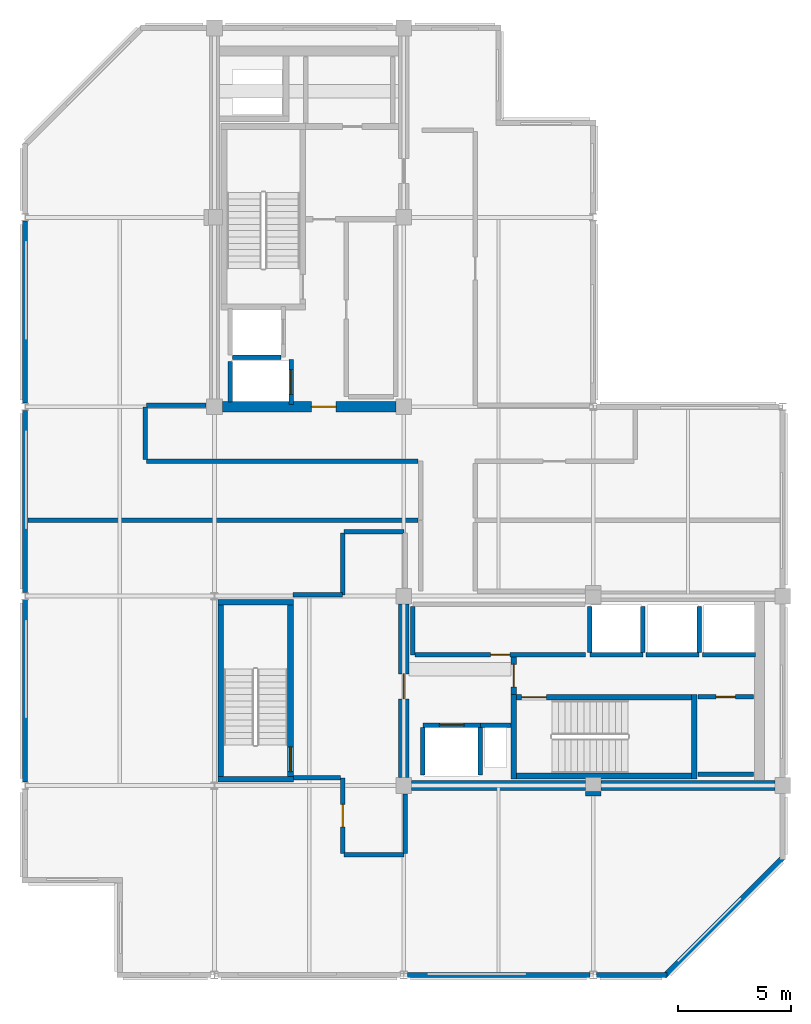
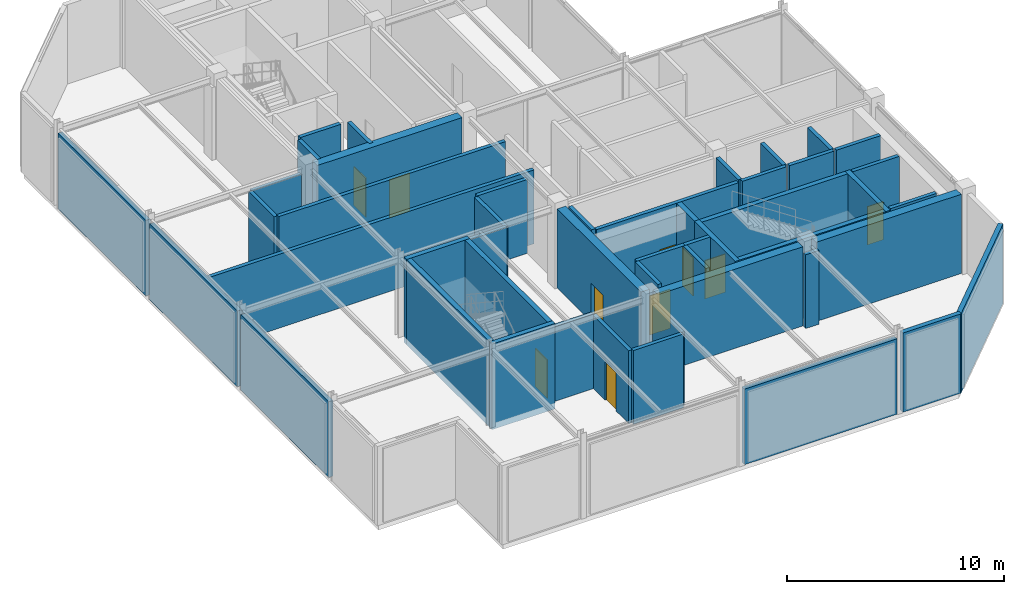
# One storey, part 4 of 9: 48 walls, 10 doors, 10 openings.
"""IFC4 building model written with IfcOpenShell, lengths in metres."""

from ifc_helpers import new_model, si_unit, direction, frame, frame_2d, origin, place, context, subcontext, project, spatial, rectangle, extrude, material, layer, layer_set, type_object, element, fill, save


model = new_model("IFC4")

# Units and contexts
model_context = context("Model", 3, precision=1e-05, world=origin(), true_north=direction((0.0, 1.0)))
body_context = subcontext(model_context, "Body", "Model", "MODEL_VIEW")
ifc_project = project(units=[si_unit("LENGTHUNIT", "METRE"), si_unit("AREAUNIT", "SQUARE_METRE"), si_unit("VOLUMEUNIT", "CUBIC_METRE"), si_unit("PLANEANGLEUNIT", "RADIAN"), si_unit("MASSUNIT", "GRAM", prefix="KILO")], contexts=[model_context])

# Site, building, storey
site_placement = place(None, origin())
site = spatial("IfcSite", under=ifc_project, at=site_placement, CompositionType="ELEMENT")
building_placement = place(site_placement, origin())
building = spatial("IfcBuilding", under=site, at=building_placement, Name="Nerrivon Quay Data Exchange", CompositionType="ELEMENT")
storey_placement = place(building_placement, frame((0.0, 0.0, 322.199951171875)))
storey = spatial("IfcBuildingStorey", under=building, at=storey_placement, Name="L77", CompositionType="ELEMENT", Elevation=322.199951171875)

# Walls
ifc_material_1 = material(Name="Architectural terracotta precast concrete N50 (50 MPa)", Category="masonry")
ifc_layer_1 = layer(ifc_material_1, 0.239990234375)
ifc_layer_set_1 = layer_set([ifc_layer_1], Name="Architectural terracotta precast concrete N50 (50 MPa)")
wall_type_1 = type_object("IfcWallType", Name="EW-PREC-240", PredefinedType="STANDARD", material=ifc_layer_set_1)
wall_1_placement = place(storey_placement, frame((33.65283203125, 5.252685546875, 0.0), z_axis=(0.0, 0.0, 1.0), x_axis=(-0.707123050166, -0.707090511833, 0.0)))
element("IfcWall", 1, at=wall_1_placement, inside=storey, type_object=wall_type_1, Name="L77 Plant Enclosure Wall 1", PredefinedType="STANDARD", context=body_context, shape_type="SweptSolid", body=[
    extrude(rectangle(XDim=7.503173828125, YDim=0.239990234375, at=frame_2d((3.75146484375, 0.0))), origin(), (0.0, 0.0, 1.0), 4.449951171875),
])
wall_2_placement = place(storey_placement, frame((28.474609375, 0.0, 0.0), z_axis=(0.0, 0.0, 1.0), x_axis=(-1.0, 0.0, 0.0)))
element("IfcWall", 2, at=wall_2_placement, inside=storey, type_object=wall_type_1, Name="L77 Plant Enclosure Wall 2", PredefinedType="STANDARD", context=body_context, shape_type="SweptSolid", body=[
    extrude(rectangle(XDim=3.12109375, YDim=0.239990234375, at=frame_2d((1.560546875, 0.0))), origin(), (0.0, 0.0, 1.0), 4.449951171875),
])
wall_3_placement = place(storey_placement, frame((25.04638671875, 0.0, 0.0), z_axis=(0.0, 0.0, 1.0), x_axis=(-1.0, 0.0, 0.0)))
element("IfcWall", 3, at=wall_3_placement, inside=storey, type_object=wall_type_1, Name="L77 Plant Enclosure Wall 3", PredefinedType="STANDARD", context=body_context, shape_type="SweptSolid", body=[
    extrude(rectangle(XDim=8.0927734375, YDim=0.239990234375, at=frame_2d((4.04638671875, 0.0))), origin(), (0.0, 0.0, 1.0), 4.2431640625),
])
for number, where, z_axis, x_axis, name in (
    (4, (0.0, 8.5576171875, 0.0), (0.0, 0.0, 1.0), (0.0, 1.0, 0.0), "L77 Plant Enclosure Wall 9"),
    (5, (0.0, 16.95751953125, 0.0), (0.0, 0.0, 1.0), (0.0, 1.0, 0.0), "L77 Plant Enclosure Wall 10"),
    (6, (0.0, 25.357421875, 0.0), (0.0, 0.0, 1.0), (0.0, 1.0, 0.0), "L77 Plant Enclosure Wall 11"),
):
    element("IfcWall", number, at=place(storey_placement, frame(where, z_axis=z_axis, x_axis=x_axis)), inside=storey, type_object=wall_type_1, Name=name, PredefinedType="STANDARD", context=body_context, shape_type="SweptSolid", body=[
        extrude(rectangle(XDim=8.0849609375, YDim=0.239990234375, at=frame_2d((4.04248046875, 0.0))), origin(), (0.0, 0.0, 1.0), 4.2431640625),
    ])

# Wall, opening, door
ifc_material_2 = material(Name="Concrete N50 (50 MPa)", Category="concrete")
ifc_layer_2 = layer(ifc_material_2, 0.449951171875)
ifc_layer_set_2 = layer_set([ifc_layer_2], Name="Concrete N50 (50 MPa)")
wall_type_2 = type_object("IfcWallType", Name="WALL-CW-550", PredefinedType="SHEAR", material=ifc_layer_set_2)
wall_4_placement = place(storey_placement, frame((8.75, 25.199951171875, 0.0), z_axis=(0.0, 0.0, 1.0), x_axis=(1.0, 0.0, 0.0)))
wall_4 = element("IfcWall", 7, at=wall_4_placement, inside=storey, type_object=wall_type_2, Name="L77 West Split-Core Shear Wall WCW-S1", PredefinedType="SHEAR", context=body_context, shape_type="SweptSolid", body=[
    extrude(rectangle(XDim=7.699951171875, YDim=0.449951171875, at=frame_2d((3.85009765625, 0.0))), origin(), (0.0, 0.0, 1.0), 4.449951171875),
])
opening_1_placement = place(wall_4_placement, frame((3.949951171875, 0.0, 0.0)))
opening_1 = element("IfcOpeningElement", 8, at=opening_1_placement, cuts=wall_4, Name="Opening FD-120", PredefinedType="OPENING", context=body_context, shape_type="SweptSolid", body=[
    extrude(rectangle(XDim=1.10009765625, YDim=2.14990234375, at=frame_2d((0.550048828125, 1.074951171875))), frame((0.0, 0.23486328125, 0.0), z_axis=(0.0, -1.0, 0.0), x_axis=(1.0, 0.0, 0.0)), (0.0, 0.0, 1.0), 0.469970703125),
])
ifc_material_3 = material(Name="Powder-coated galvanized steel sheet", Category="steel")
door_type_1 = type_object("IfcDoorType", Name="DR-FD120-1100", OperationType="NOTDEFINED", PredefinedType="DOOR", material=ifc_material_3)
door_1_placement = place(opening_1_placement, origin())
door_1 = element("IfcDoor", 9, at=door_1_placement, inside=storey, type_object=door_type_1, Name="L77 West Core Lobby Fire Door", OperationType="SINGLE_SWING_LEFT", OverallHeight=2.14990234375, OverallWidth=1.10009765625, PredefinedType="DOOR", context=body_context, shape_type="SweptSolid", body=[
    extrude(rectangle(XDim=1.10009765625, YDim=2.14990234375, at=frame_2d((0.550048828125, 1.074951171875))), frame((0.0, 0.02490234375, 0.0), z_axis=(0.0, -1.0, 0.0), x_axis=(1.0, 0.0, 0.0)), (0.0, 0.0, 1.0), 0.050048828125),
])
fill(opening_1, door_1)

# Walls
wall_5_placement = place(storey_placement, frame((17.14990234375, 8.39990234375, 0.0), z_axis=(0.0, 0.0, 1.0), x_axis=(1.0, 0.0, 0.0)))
element("IfcWall", 10, at=wall_5_placement, inside=storey, type_object=wall_type_2, Name="L77 East Split-Core Shear Wall ECW-S1", PredefinedType="SHEAR", context=body_context, shape_type="SweptSolid", body=[
    extrude(rectangle(XDim=7.7001953125, YDim=0.449951171875, at=frame_2d((3.85009765625, 0.0))), origin(), (0.0, 0.0, 1.0), 4.449951171875),
])
wall_6_placement = place(storey_placement, frame((25.550048828125, 8.39990234375, 0.0), z_axis=(0.0, 0.0, 1.0), x_axis=(1.0, 0.0, 0.0)))
element("IfcWall", 11, at=wall_6_placement, inside=storey, type_object=wall_type_2, Name="L77 East Split-Core Shear Wall ECW-S2", PredefinedType="SHEAR", context=body_context, shape_type="SweptSolid", body=[
    extrude(rectangle(XDim=7.699951171875, YDim=0.449951171875, at=frame_2d((3.85009765625, 0.0))), origin(), (0.0, 0.0, 1.0), 4.449951171875),
])

# Wall, opening, door
wall_7_placement = place(storey_placement, frame((16.800048828125, 8.75, 0.0), z_axis=(0.0, 0.0, 1.0), x_axis=(0.0, 1.0, 0.0)))
wall_7 = element("IfcWall", 12, at=wall_7_placement, inside=storey, type_object=wall_type_2, Name="L77 East Split-Core Shear Wall ECW-W1", PredefinedType="SHEAR", context=body_context, shape_type="SweptSolid", body=[
    extrude(rectangle(XDim=7.699951171875, YDim=0.449951171875, at=frame_2d((3.85009765625, 0.0))), origin(), (0.0, 0.0, 1.0), 4.449951171875),
])
opening_2_placement = place(wall_7_placement, frame((3.5, 0.0, 0.0)))
opening_2 = element("IfcOpeningElement", 13, at=opening_2_placement, cuts=wall_7, Name="Opening FD-120", PredefinedType="OPENING", context=body_context, shape_type="SweptSolid", body=[
    extrude(rectangle(XDim=1.10009765625, YDim=2.14990234375, at=frame_2d((0.550048828125, 1.074951171875))), frame((0.0, 0.23486328125, 0.0), z_axis=(0.0, -1.0, 0.0), x_axis=(1.0, 0.0, 0.0)), (0.0, 0.0, 1.0), 0.469970703125),
])
door_2_placement = place(opening_2_placement, origin())
door_2 = element("IfcDoor", 14, at=door_2_placement, inside=storey, type_object=door_type_1, Name="L77 East Core Lobby Fire Door", OperationType="SINGLE_SWING_RIGHT", OverallHeight=2.14990234375, OverallWidth=1.10009765625, PredefinedType="DOOR", context=body_context, shape_type="SweptSolid", body=[
    extrude(rectangle(XDim=1.10009765625, YDim=2.14990234375, at=frame_2d((0.550048828125, 1.074951171875))), frame((0.0, 0.02490234375, 0.0), z_axis=(0.0, -1.0, 0.0), x_axis=(1.0, 0.0, 0.0)), (0.0, 0.0, 1.0), 0.050048828125),
])
fill(opening_2, door_2)

# Walls
ifc_material_4 = material(Name="Gypsum plasterboard on cold-formed framing", Category="gypsum")
ifc_layer_3 = layer(ifc_material_4, 0.199951171875)
ifc_layer_set_3 = layer_set([ifc_layer_3], Name="Gypsum plasterboard on cold-formed framing")
wall_type_3 = type_object("IfcWallType", Name="WALL-FW-200", PredefinedType="PARTITIONING", material=ifc_layer_set_3)
wall_8_placement = place(storey_placement, frame((20.199951171875, 11.080078125, 0.0), z_axis=(0.0, 0.0, 1.0), x_axis=(1.0, 0.0, 0.0)))
element("IfcWall", 15, at=wall_8_placement, inside=storey, type_object=wall_type_3, Name="L77 East Core MEP Riser Shaft Wall N", PredefinedType="PARTITIONING", context=body_context, shape_type="SweptSolid", body=[
    extrude(rectangle(XDim=1.35009765625, YDim=0.199951171875, at=frame_2d((0.675048828125, 0.0))), origin(), (0.0, 0.0, 1.0), 4.449951171875),
])
wall_9_placement = place(storey_placement, frame((9.199951171875, 27.39990234375, 0.0), z_axis=(0.0, 0.0, 1.0), x_axis=(1.0, 0.0, 0.0)))
element("IfcWall", 16, at=wall_9_placement, inside=storey, type_object=wall_type_3, Name="L77 Lift Shaft Wall FFL-1 SOUTH", PredefinedType="PARTITIONING", context=body_context, shape_type="SweptSolid", body=[
    extrude(rectangle(XDim=2.150146484375, YDim=0.199951171875, at=frame_2d((1.0751953125, 0.0))), origin(), (0.0, 0.0, 1.0), 4.449951171875),
])

# Wall, opening, door
wall_10_placement = place(storey_placement, frame((11.800048828125, 25.300048828125, 0.0), z_axis=(0.0, 0.0, 1.0), x_axis=(0.0, 1.0, 0.0)))
wall_10 = element("IfcWall", 17, at=wall_10_placement, inside=storey, type_object=wall_type_3, Name="L77 Lift Front Wall SVL-1", PredefinedType="PARTITIONING", context=body_context, shape_type="SweptSolid", body=[
    extrude(rectangle(XDim=2.0, YDim=0.199951171875, at=frame_2d((1.0, 0.0))), origin(), (0.0, 0.0, 1.0), 4.449951171875),
])
opening_3_placement = place(wall_10_placement, frame((0.449951171875, 0.0, 0.0)))
opening_3 = element("IfcOpeningElement", 18, at=opening_3_placement, cuts=wall_10, Name="Opening LD-120", PredefinedType="OPENING", context=body_context, shape_type="SweptSolid", body=[
    extrude(rectangle(XDim=1.10009765625, YDim=2.199951171875, at=frame_2d((0.550048828125, 1.10009765625))), frame((0.0, 0.10986328125, 0.0), z_axis=(0.0, -1.0, 0.0), x_axis=(1.0, 0.0, 0.0)), (0.0, 0.0, 1.0), 0.219970703125),
])
door_type_2 = type_object("IfcDoorType", Name="DR-LIFT-LD120", OperationType="DOUBLE_DOOR_SLIDING", PredefinedType="DOOR", material=ifc_material_3)
door_3_placement = place(opening_3_placement, origin())
door_3 = element("IfcDoor", 19, at=door_3_placement, inside=storey, type_object=door_type_2, Name="L77 Lift Landing Sliding Door SVL-1", OperationType="DOUBLE_DOOR_SLIDING", OverallHeight=2.199951171875, OverallWidth=1.10009765625, PredefinedType="DOOR", context=body_context, shape_type="SweptSolid", body=[
    extrude(rectangle(XDim=1.10009765625, YDim=2.199951171875, at=frame_2d((0.550048828125, 1.10009765625))), frame((0.0, 0.02490234375, 0.0), z_axis=(0.0, -1.0, 0.0), x_axis=(1.0, 0.0, 0.0)), (0.0, 0.0, 1.0), 0.050048828125),
])
fill(opening_3, door_3)

# Wall
wall_11_placement = place(storey_placement, frame((9.10009765625, 25.39990234375, 0.0), z_axis=(0.0, 0.0, 1.0), x_axis=(0.0, 1.0, 0.0)))
element("IfcWall", 20, at=wall_11_placement, inside=storey, type_object=wall_type_3, Name="L77 Lift Shaft Wall SVL-1 WEST", PredefinedType="PARTITIONING", context=body_context, shape_type="SweptSolid", body=[
    extrude(rectangle(XDim=1.800048828125, YDim=0.199951171875, at=frame_2d((0.89990234375, 0.0))), origin(), (0.0, 0.0, 1.0), 4.449951171875),
])

# Wall, opening, door
wall_12_placement = place(storey_placement, frame((17.64990234375, 11.080078125, 0.0), z_axis=(0.0, 0.0, 1.0), x_axis=(1.0, 0.0, 0.0)))
wall_12 = element("IfcWall", 21, at=wall_12_placement, inside=storey, type_object=wall_type_3, Name="L77 Lift Front Wall FFL-2", PredefinedType="PARTITIONING", context=body_context, shape_type="SweptSolid", body=[
    extrude(rectangle(XDim=2.550048828125, YDim=0.199951171875, at=frame_2d((1.27490234375, 0.0))), origin(), (0.0, 0.0, 1.0), 4.449951171875),
])
opening_4_placement = place(wall_12_placement, frame((0.72509765625, 0.0, 0.0)))
opening_4 = element("IfcOpeningElement", 22, at=opening_4_placement, cuts=wall_12, Name="Opening LD-120", PredefinedType="OPENING", context=body_context, shape_type="SweptSolid", body=[
    extrude(rectangle(XDim=1.10009765625, YDim=2.199951171875, at=frame_2d((0.550048828125, 1.10009765625))), frame((0.0, 0.10986328125, 0.0), z_axis=(0.0, -1.0, 0.0), x_axis=(1.0, 0.0, 0.0)), (0.0, 0.0, 1.0), 0.219970703125),
])
door_4_placement = place(opening_4_placement, origin())
door_4 = element("IfcDoor", 23, at=door_4_placement, inside=storey, type_object=door_type_2, Name="L77 Lift Landing Sliding Door FFL-2", OperationType="DOUBLE_DOOR_SLIDING", OverallHeight=2.199951171875, OverallWidth=1.10009765625, PredefinedType="DOOR", context=body_context, shape_type="SweptSolid", body=[
    extrude(rectangle(XDim=1.10009765625, YDim=2.199951171875, at=frame_2d((0.550048828125, 1.10009765625))), frame((0.0, 0.02490234375, 0.0), z_axis=(0.0, -1.0, 0.0), x_axis=(1.0, 0.0, 0.0)), (0.0, 0.0, 1.0), 0.050048828125),
])
fill(opening_4, door_4)

# Walls
for number, where, z_axis, x_axis, name in (
    (24, (20.199951171875, 8.8798828125, 0.0), (0.0, 0.0, 1.0), (0.0, 1.0, 0.0), "L77 Lift Shaft Wall FFL-2 EAST"),
    (25, (17.64990234375, 8.8798828125, 0.0), (0.0, 0.0, 1.0), (0.0, 1.0, 0.0), "L77 Lift Shaft Wall FFL-2 WEST"),
):
    element("IfcWall", number, at=place(storey_placement, frame(where, z_axis=z_axis, x_axis=x_axis)), inside=storey, type_object=wall_type_3, Name=name, PredefinedType="PARTITIONING", context=body_context, shape_type="SweptSolid", body=[
        extrude(rectangle(XDim=2.10009765625, YDim=0.199951171875, at=frame_2d((1.050048828125, 0.0))), origin(), (0.0, 0.0, 1.0), 4.449951171875),
    ])
wall_13_placement = place(storey_placement, frame((25.050048828125, 14.199951171875, 0.0), z_axis=(0.0, 0.0, 1.0), x_axis=(1.0, 0.0, 0.0)))
element("IfcWall", 26, at=wall_13_placement, inside=storey, type_object=wall_type_3, Name="L77 Lift Front Wall PL7", PredefinedType="PARTITIONING", context=body_context, shape_type="SweptSolid", body=[
    extrude(rectangle(XDim=2.349853515625, YDim=0.199951171875, at=frame_2d((1.1748046875, 0.0))), origin(), (0.0, 0.0, 1.0), 4.449951171875),
])
for number, where, z_axis, x_axis, name in (
    (27, (27.39990234375, 14.300048828125, 0.0), (0.0, 0.0, 1.0), (0.0, 1.0, 0.0), "L77 Lift Shaft Wall PL7 EAST"),
    (28, (25.050048828125, 14.300048828125, 0.0), (0.0, 0.0, 1.0), (0.0, 1.0, 0.0), "L77 Lift Shaft Wall PL7 WEST"),
):
    element("IfcWall", number, at=place(storey_placement, frame(where, z_axis=z_axis, x_axis=x_axis)), inside=storey, type_object=wall_type_3, Name=name, PredefinedType="PARTITIONING", context=body_context, shape_type="SweptSolid", body=[
        extrude(rectangle(XDim=2.050048828125, YDim=0.199951171875, at=frame_2d((1.02490234375, 0.0))), origin(), (0.0, 0.0, 1.0), 4.449951171875),
    ])
wall_14_placement = place(storey_placement, frame((27.550048828125, 14.199951171875, 0.0), z_axis=(0.0, 0.0, 1.0), x_axis=(1.0, 0.0, 0.0)))
element("IfcWall", 29, at=wall_14_placement, inside=storey, type_object=wall_type_3, Name="L77 Lift Front Wall PL8", PredefinedType="PARTITIONING", context=body_context, shape_type="SweptSolid", body=[
    extrude(rectangle(XDim=2.349853515625, YDim=0.199951171875, at=frame_2d((1.1748046875, 0.0))), origin(), (0.0, 0.0, 1.0), 4.449951171875),
])
wall_15_placement = place(storey_placement, frame((29.89990234375, 14.300048828125, 0.0), z_axis=(0.0, 0.0, 1.0), x_axis=(0.0, 1.0, 0.0)))
element("IfcWall", 30, at=wall_15_placement, inside=storey, type_object=wall_type_3, Name="L77 Lift Shaft Wall PL8 EAST", PredefinedType="PARTITIONING", context=body_context, shape_type="SweptSolid", body=[
    extrude(rectangle(XDim=2.050048828125, YDim=0.199951171875, at=frame_2d((1.02490234375, 0.0))), origin(), (0.0, 0.0, 1.0), 4.449951171875),
])
wall_16_placement = place(storey_placement, frame((30.050048828125, 14.199951171875, 0.0), z_axis=(0.0, 0.0, 1.0), x_axis=(1.0, 0.0, 0.0)))
element("IfcWall", 31, at=wall_16_placement, inside=storey, type_object=wall_type_3, Name="L77 Lift Front Wall PL9", PredefinedType="PARTITIONING", context=body_context, shape_type="SweptSolid", body=[
    extrude(rectangle(XDim=2.349853515625, YDim=0.199951171875, at=frame_2d((1.1748046875, 0.0))), origin(), (0.0, 0.0, 1.0), 4.449951171875),
])
wall_17_placement = place(storey_placement, frame((17.199951171875, 16.345947265625, 0.0), z_axis=(0.0, 0.0, 1.0), x_axis=(0.0, -1.0, 0.0)))
element("IfcWall", 32, at=wall_17_placement, inside=storey, type_object=wall_type_3, Name="L77 Partition High-Zone Telemetry Equipment Store", PredefinedType="PARTITIONING", context=body_context, shape_type="SweptSolid", body=[
    extrude(rectangle(XDim=2.14599609375, YDim=0.199951171875, at=frame_2d((1.072998046875, 0.0))), origin(), (0.0, 0.0, 1.0), 4.449951171875),
])

# Wall, opening, door
wall_18_placement = place(storey_placement, frame((17.303955078125, 14.199951171875, 0.0), z_axis=(0.0, 0.0, 1.0), x_axis=(1.0, 0.0, 0.0)))
wall_18 = element("IfcWall", 33, at=wall_18_placement, inside=storey, type_object=wall_type_3, Name="L77 Partition High-Zone Telemetry Equipment Store", PredefinedType="PARTITIONING", context=body_context, shape_type="SweptSolid", body=[
    extrude(rectangle(XDim=7.546142578125, YDim=0.199951171875, at=frame_2d((3.77294921875, 0.0))), origin(), (0.0, 0.0, 1.0), 4.449951171875),
])
opening_5_placement = place(wall_18_placement, frame((3.347900390625, 0.0, 0.0)))
opening_5 = element("IfcOpeningElement", 34, at=opening_5_placement, cuts=wall_18, Name="Opening FD-60S", PredefinedType="OPENING", context=body_context, shape_type="SweptSolid", body=[
    extrude(rectangle(XDim=0.85009765625, YDim=2.14990234375, at=frame_2d((0.425048828125, 1.074951171875))), frame((0.0, 0.10986328125, 0.0), z_axis=(0.0, -1.0, 0.0), x_axis=(1.0, 0.0, 0.0)), (0.0, 0.0, 1.0), 0.219970703125),
])
ifc_material_5 = material(Name="Engineered hardwood timber", Category="wood")
door_type_3 = type_object("IfcDoorType", Name="DR-FD60-850", OperationType="NOTDEFINED", PredefinedType="DOOR", material=ifc_material_5)
door_5_placement = place(opening_5_placement, origin())
door_5 = element("IfcDoor", 35, at=door_5_placement, inside=storey, type_object=door_type_3, Name="L77 Door High-Zone Telemetry Equipment Store", OperationType="SINGLE_SWING_RIGHT", OverallHeight=2.14990234375, OverallWidth=0.85009765625, PredefinedType="DOOR", context=body_context, shape_type="SweptSolid", body=[
    extrude(rectangle(XDim=0.85009765625, YDim=2.14990234375, at=frame_2d((0.425048828125, 1.074951171875))), frame((0.0, 0.02490234375, 0.0), z_axis=(0.0, -1.0, 0.0), x_axis=(1.0, 0.0, 0.0)), (0.0, 0.0, 1.0), 0.050048828125),
])
fill(opening_5, door_5)

wall_19_placement = place(storey_placement, frame((32.300048828125, 12.330078125, 0.0), z_axis=(0.0, 0.0, 1.0), x_axis=(-1.0, 0.0, 0.0)))
wall_19 = element("IfcWall", 36, at=wall_19_placement, inside=storey, type_object=wall_type_3, Name="L77 Partition East Telecom Closet", PredefinedType="PARTITIONING", context=body_context, shape_type="SweptSolid", body=[
    extrude(rectangle(XDim=2.449951171875, YDim=0.199951171875, at=frame_2d((1.22509765625, 0.0))), origin(), (0.0, 0.0, 1.0), 4.449951171875),
])
opening_6_placement = place(wall_19_placement, frame((0.800048828125, 0.0, 0.0)))
opening_6 = element("IfcOpeningElement", 37, at=opening_6_placement, cuts=wall_19, Name="Opening FD-60S", PredefinedType="OPENING", context=body_context, shape_type="SweptSolid", body=[
    extrude(rectangle(XDim=0.85009765625, YDim=2.14990234375, at=frame_2d((0.425048828125, 1.074951171875))), frame((0.0, 0.10986328125, 0.0), z_axis=(0.0, -1.0, 0.0), x_axis=(1.0, 0.0, 0.0)), (0.0, 0.0, 1.0), 0.219970703125),
])
door_6_placement = place(opening_6_placement, origin())
door_6 = element("IfcDoor", 38, at=door_6_placement, inside=storey, type_object=door_type_3, Name="L77 Door East Telecom Closet", OperationType="SINGLE_SWING_LEFT", OverallHeight=2.14990234375, OverallWidth=0.85009765625, PredefinedType="DOOR", context=body_context, shape_type="SweptSolid", body=[
    extrude(rectangle(XDim=0.85009765625, YDim=2.14990234375, at=frame_2d((0.425048828125, 1.074951171875))), frame((0.0, 0.02490234375, 0.0), z_axis=(0.0, -1.0, 0.0), x_axis=(1.0, 0.0, 0.0)), (0.0, 0.0, 1.0), 0.050048828125),
])
fill(opening_6, door_6)

# Walls
wall_20_placement = place(storey_placement, frame((29.85009765625, 8.89990234375, 0.0), z_axis=(0.0, 0.0, 1.0), x_axis=(1.0, 0.0, 0.0)))
element("IfcWall", 39, at=wall_20_placement, inside=storey, type_object=wall_type_3, Name="L77 Partition East Telecom Closet", PredefinedType="PARTITIONING", context=body_context, shape_type="SweptSolid", body=[
    extrude(rectangle(XDim=2.449951171875, YDim=0.199951171875, at=frame_2d((1.22509765625, 0.0))), origin(), (0.0, 0.0, 1.0), 4.449951171875),
])
wall_21_placement = place(storey_placement, frame((25.553955078125, 8.030517578125, 0.0), z_axis=(0.0, 0.0, 1.0), x_axis=(-0.999999759375, -0.000693721651, 0.0)))
element("IfcWall", 40, at=wall_21_placement, inside=storey, type_object=wall_type_3, Name="L77 Partition Chiller Plant Room", PredefinedType="PARTITIONING", context=body_context, shape_type="SweptSolid", body=[
    extrude(rectangle(XDim=0.703857421875, YDim=0.199951171875, at=frame_2d((0.35205078125, 0.0))), origin(), (0.0, 0.0, 1.0), 4.14306640625),
])
wall_22_placement = place(storey_placement, frame((16.860107421875, 8.030029296875, 0.0), z_axis=(0.0, 0.0, 1.0), x_axis=(0.0, -1.0, 0.0)))
element("IfcWall", 41, at=wall_22_placement, inside=storey, type_object=wall_type_3, Name="L77 Partition Chiller Plant Room", PredefinedType="PARTITIONING", context=body_context, shape_type="SweptSolid", body=[
    extrude(rectangle(XDim=2.630126953125, YDim=0.199951171875, at=frame_2d((1.31494140625, 0.0))), origin(), (0.0, 0.0, 1.0), 4.14306640625),
])
wall_23_placement = place(storey_placement, frame((16.800048828125, 5.340087890625, 0.0), z_axis=(0.0, 0.0, 1.0), x_axis=(-1.0, 0.0, 0.0)))
element("IfcWall", 42, at=wall_23_placement, inside=storey, type_object=wall_type_3, Name="L77 Partition Chiller Plant Room", PredefinedType="PARTITIONING", context=body_context, shape_type="SweptSolid", body=[
    extrude(rectangle(XDim=2.650146484375, YDim=0.199951171875, at=frame_2d((1.3251953125, 0.0))), origin(), (0.0, 0.0, 1.0), 4.14306640625),
])

# Wall, opening, door
wall_24_placement = place(storey_placement, frame((14.090087890625, 5.39990234375, 0.0), z_axis=(0.0, 0.0, 1.0), x_axis=(0.0, 1.0, 0.0)))
wall_24 = element("IfcWall", 43, at=wall_24_placement, inside=storey, type_object=wall_type_3, Name="L77 Partition Chiller Plant Room", PredefinedType="PARTITIONING", context=body_context, shape_type="SweptSolid", body=[
    extrude(rectangle(XDim=3.340087890625, YDim=0.199951171875, at=frame_2d((1.669921875, 0.0))), origin(), (0.0, 0.0, 1.0), 4.091064453125),
])
opening_7_placement = place(wall_24_placement, frame((1.169921875, 0.0, 0.0)))
opening_7 = element("IfcOpeningElement", 44, at=opening_7_placement, cuts=wall_24, Name="Opening FD-60", PredefinedType="OPENING", context=body_context, shape_type="SweptSolid", body=[
    extrude(rectangle(XDim=1.0, YDim=2.14990234375, at=frame_2d((0.5, 1.074951171875))), frame((0.0, 0.10986328125, 0.0), z_axis=(0.0, -1.0, 0.0), x_axis=(1.0, 0.0, 0.0)), (0.0, 0.0, 1.0), 0.219970703125),
])
door_type_4 = type_object("IfcDoorType", Name="DR-FD60-1000", OperationType="NOTDEFINED", PredefinedType="DOOR", material=ifc_material_5)
door_7_placement = place(opening_7_placement, origin())
door_7 = element("IfcDoor", 45, at=door_7_placement, inside=storey, type_object=door_type_4, Name="L77 Door Chiller Plant Room", OperationType="SINGLE_SWING_RIGHT", OverallHeight=2.14990234375, OverallWidth=1.0, PredefinedType="DOOR", context=body_context, shape_type="SweptSolid", body=[
    extrude(rectangle(XDim=1.0, YDim=2.14990234375, at=frame_2d((0.5, 1.074951171875))), frame((0.0, 0.02490234375, 0.0), z_axis=(0.0, -1.0, 0.0), x_axis=(1.0, 0.0, 0.0)), (0.0, 0.0, 1.0), 0.050048828125),
])
fill(opening_7, door_7)

# Walls
wall_25_placement = place(storey_placement, frame((13.986083984375, 8.739990234375, 0.0), z_axis=(0.0, 0.0, 1.0), x_axis=(-1.0, 0.0, 0.0)))
element("IfcWall", 46, at=wall_25_placement, inside=storey, type_object=wall_type_3, Name="L77 Partition Chiller Plant Room", PredefinedType="PARTITIONING", context=body_context, shape_type="SweptSolid", body=[
    extrude(rectangle(XDim=2.086181640625, YDim=0.199951171875, at=frame_2d((1.04296875, 0.0))), origin(), (0.0, 0.0, 1.0), 4.194091796875),
])
wall_26_placement = place(storey_placement, frame((11.89404296875, 16.859619140625, 0.0), z_axis=(0.0, 0.0, 1.0), x_axis=(0.999999975281, 0.000222345742, 0.0)))
element("IfcWall", 47, at=wall_26_placement, inside=storey, type_object=wall_type_3, Name="L77 Partition Chiller Plant Room", PredefinedType="PARTITIONING", context=body_context, shape_type="SweptSolid", body=[
    extrude(rectangle(XDim=2.196044921875, YDim=0.199951171875, at=frame_2d((1.09814453125, 0.0))), origin(), (0.0, 0.0, 1.0), 4.091064453125),
])
wall_27_placement = place(storey_placement, frame((14.090087890625, 16.860107421875, 0.0), z_axis=(0.0, 0.0, 1.0), x_axis=(0.0, 1.0, 0.0)))
element("IfcWall", 48, at=wall_27_placement, inside=storey, type_object=wall_type_3, Name="L77 Partition Chiller Plant Room", PredefinedType="PARTITIONING", context=body_context, shape_type="SweptSolid", body=[
    extrude(rectangle(XDim=2.739990234375, YDim=0.199951171875, at=frame_2d((1.3701171875, 0.0))), origin(), (0.0, 0.0, 1.0), 4.091064453125),
])
wall_28_placement = place(storey_placement, frame((14.14990234375, 19.659912109375, 0.0), z_axis=(0.0, 0.0, 1.0), x_axis=(1.0, 0.0, 0.0)))
element("IfcWall", 49, at=wall_28_placement, inside=storey, type_object=wall_type_3, Name="L77 Partition Chiller Plant Room", PredefinedType="PARTITIONING", context=body_context, shape_type="SweptSolid", body=[
    extrude(rectangle(XDim=2.650146484375, YDim=0.199951171875, at=frame_2d((1.3251953125, 0.0))), origin(), (0.0, 0.0, 1.0), 4.14306640625),
])
wall_29_placement = place(storey_placement, frame((17.43603515625, 20.1640625, 0.0), z_axis=(0.0, 0.0, 1.0), x_axis=(-1.0, 0.0, 0.0)))
element("IfcWall", 50, at=wall_29_placement, inside=storey, type_object=wall_type_3, Name="L77 Partition Chiller Plant Room", PredefinedType="PARTITIONING", context=body_context, shape_type="SweptSolid", body=[
    extrude(rectangle(XDim=17.31201171875, YDim=0.199951171875, at=frame_2d((8.656005859375, 0.0))), origin(), (0.0, 0.0, 1.0), 4.14306640625),
])
wall_30_placement = place(storey_placement, frame((17.43603515625, 22.7900390625, 0.0), z_axis=(0.0, 0.0, 1.0), x_axis=(-1.0, 0.0, 0.0)))
element("IfcWall", 51, at=wall_30_placement, inside=storey, type_object=wall_type_3, Name="L77 Partition High-Zone AHU Mechanical Room", PredefinedType="PARTITIONING", context=body_context, shape_type="SweptSolid", body=[
    extrude(rectangle(XDim=12.0361328125, YDim=0.199951171875, at=frame_2d((6.01806640625, 0.0))), origin(), (0.0, 0.0, 1.0), 4.14306640625),
])
wall_31_placement = place(storey_placement, frame((5.340087890625, 22.85009765625, 0.0), z_axis=(0.0, 0.0, 1.0), x_axis=(0.0, 1.0, 0.0)))
element("IfcWall", 52, at=wall_31_placement, inside=storey, type_object=wall_type_3, Name="L77 Partition High-Zone AHU Mechanical Room", PredefinedType="PARTITIONING", context=body_context, shape_type="SweptSolid", body=[
    extrude(rectangle(XDim=2.349853515625, YDim=0.199951171875, at=frame_2d((1.1748046875, 0.0))), origin(), (0.0, 0.0, 1.0), 4.091064453125),
])
wall_32_placement = place(storey_placement, frame((5.39990234375, 25.260009765625, 0.0), z_axis=(0.0, 0.0, 1.0), x_axis=(1.0, 0.0, 0.0)))
element("IfcWall", 53, at=wall_32_placement, inside=storey, type_object=wall_type_3, Name="L77 Partition High-Zone AHU Mechanical Room", PredefinedType="PARTITIONING", context=body_context, shape_type="SweptSolid", body=[
    extrude(rectangle(XDim=2.630126953125, YDim=0.199951171875, at=frame_2d((1.31494140625, 0.0))), origin(), (0.0, 0.0, 1.0), 4.091064453125),
])
ifc_layer_4 = layer(ifc_material_2, 0.25)
ifc_layer_set_4 = layer_set([ifc_layer_4], Name="Concrete N50 (50 MPa)")
wall_type_4 = type_object("IfcWallType", Name="WALL-SW-250", PredefinedType="SHEAR", material=ifc_layer_set_4)
for number, where, z_axis, x_axis, name in (
    (54, (21.675048828125, 8.699951171875, 0.0), (0.0, 0.0, 1.0), (0.0, 1.0, 0.0), "L77 ST02 Structural Stair Core Wall NEAR"),
    (55, (29.675048828125, 8.699951171875, 0.0), (0.0, 0.0, 1.0), (0.0, 1.0, 0.0), "L77 ST02 Structural Stair Core Wall FAR"),
):
    element("IfcWall", number, at=place(storey_placement, frame(where, z_axis=z_axis, x_axis=x_axis)), inside=storey, type_object=wall_type_4, Name=name, PredefinedType="SHEAR", context=body_context, shape_type="SweptSolid", body=[
        extrude(rectangle(XDim=3.75, YDim=0.25, at=frame_2d((1.875, 0.0))), origin(), (0.0, 0.0, 1.0), 4.449951171875),
    ])
wall_33_placement = place(storey_placement, frame((21.800048828125, 8.824951171875, 0.0), z_axis=(0.0, 0.0, 1.0), x_axis=(1.0, 0.0, 0.0)))
element("IfcWall", 56, at=wall_33_placement, inside=storey, type_object=wall_type_4, Name="L77 ST02 Structural Stair Core Wall LEFT", PredefinedType="SHEAR", context=body_context, shape_type="SweptSolid", body=[
    extrude(rectangle(XDim=7.75, YDim=0.25, at=frame_2d((3.875, 0.0))), origin(), (0.0, 0.0, 1.0), 4.449951171875),
])

# Wall, opening, door
wall_34_placement = place(storey_placement, frame((21.800048828125, 12.324951171875, 0.0), z_axis=(0.0, 0.0, 1.0), x_axis=(1.0, 0.0, 0.0)))
wall_34 = element("IfcWall", 57, at=wall_34_placement, inside=storey, type_object=wall_type_4, Name="L77 ST02 Structural Stair Core Wall RIGHT", PredefinedType="SHEAR", context=body_context, shape_type="SweptSolid", body=[
    extrude(rectangle(XDim=7.75, YDim=0.25, at=frame_2d((3.875, 0.0))), origin(), (0.0, 0.0, 1.0), 4.449951171875),
])
opening_8_placement = place(wall_34_placement, frame((0.219970703125, 0.0, 0.0)))
opening_8 = element("IfcOpeningElement", 58, at=opening_8_placement, cuts=wall_34, Name="Opening FD-120", PredefinedType="OPENING", context=body_context, shape_type="SweptSolid", body=[
    extrude(rectangle(XDim=1.10009765625, YDim=2.14990234375, at=frame_2d((0.550048828125, 1.074951171875))), frame((0.0, 0.135009765625, 0.0), z_axis=(0.0, -1.0, 0.0), x_axis=(1.0, 0.0, 0.0)), (0.0, 0.0, 1.0), 0.27001953125),
])
door_8_placement = place(opening_8_placement, origin())
door_8 = element("IfcDoor", 59, at=door_8_placement, inside=storey, type_object=door_type_1, Name="L77 Protected Stair Door ST02", OperationType="SINGLE_SWING_RIGHT", OverallHeight=2.14990234375, OverallWidth=1.10009765625, PredefinedType="DOOR", context=body_context, shape_type="SweptSolid", body=[
    extrude(rectangle(XDim=1.10009765625, YDim=2.14990234375, at=frame_2d((0.550048828125, 1.074951171875))), frame((0.0, 0.02490234375, 0.0), z_axis=(0.0, -1.0, 0.0), x_axis=(1.0, 0.0, 0.0)), (0.0, 0.0, 1.0), 0.050048828125),
])
fill(opening_8, door_8)

# Walls
for number, where, z_axis, x_axis, name in (
    (60, (11.89990234375, 8.675048828125, -0.349853515625), (0.0, 0.0, 1.0), (-1.0, 0.0, 0.0), "L77 ST08 Structural Stair Core Wall NEAR"),
    (61, (11.89990234375, 16.52490234375, -0.349853515625), (0.0, 0.0, 1.0), (-1.0, 0.0, 0.0), "L77 ST08 Structural Stair Core Wall FAR"),
):
    element("IfcWall", number, at=place(storey_placement, frame(where, z_axis=z_axis, x_axis=x_axis)), inside=storey, type_object=wall_type_4, Name=name, PredefinedType="SHEAR", context=body_context, shape_type="SweptSolid", body=[
        extrude(rectangle(XDim=3.349853515625, YDim=0.25, at=frame_2d((1.6748046875, 0.0))), origin(), (0.0, 0.0, 1.0), 4.7998046875),
    ])

# Wall, opening, door
wall_35_placement = place(storey_placement, frame((11.77490234375, 8.800048828125, -0.349853515625), z_axis=(0.0, 0.0, 1.0), x_axis=(0.0, 1.0, 0.0)))
wall_35 = element("IfcWall", 62, at=wall_35_placement, inside=storey, type_object=wall_type_4, Name="L77 ST08 Structural Stair Core Wall LEFT", PredefinedType="SHEAR", context=body_context, shape_type="SweptSolid", body=[
    extrude(rectangle(XDim=7.599853515625, YDim=0.25, at=frame_2d((3.7998046875, 0.0))), origin(), (0.0, 0.0, 1.0), 4.7998046875),
])
opening_9_placement = place(wall_35_placement, frame((0.219970703125, 0.0, 0.35009765625)))
opening_9 = element("IfcOpeningElement", 63, at=opening_9_placement, cuts=wall_35, Name="Opening FD-120", PredefinedType="OPENING", context=body_context, shape_type="SweptSolid", body=[
    extrude(rectangle(XDim=1.10009765625, YDim=2.14990234375, at=frame_2d((0.550048828125, 1.074951171875))), frame((0.0, 0.135009765625, 0.0), z_axis=(0.0, -1.0, 0.0), x_axis=(1.0, 0.0, 0.0)), (0.0, 0.0, 1.0), 0.27001953125),
])
door_9_placement = place(opening_9_placement, origin())
door_9 = element("IfcDoor", 64, at=door_9_placement, inside=storey, type_object=door_type_1, Name="L77 Protected Stair Door ST08", OperationType="SINGLE_SWING_LEFT", OverallHeight=2.14990234375, OverallWidth=1.10009765625, PredefinedType="DOOR", context=body_context, shape_type="SweptSolid", body=[
    extrude(rectangle(XDim=1.10009765625, YDim=2.14990234375, at=frame_2d((0.550048828125, 1.074951171875))), frame((0.0, 0.02490234375, 0.0), z_axis=(0.0, -1.0, 0.0), x_axis=(1.0, 0.0, 0.0)), (0.0, 0.0, 1.0), 0.050048828125),
])
fill(opening_9, door_9)

# Wall
wall_36_placement = place(storey_placement, frame((8.675048828125, 8.800048828125, -0.349853515625), z_axis=(0.0, 0.0, 1.0), x_axis=(0.0, 1.0, 0.0)))
element("IfcWall", 65, at=wall_36_placement, inside=storey, type_object=wall_type_4, Name="L77 ST08 Structural Stair Core Wall RIGHT", PredefinedType="SHEAR", context=body_context, shape_type="SweptSolid", body=[
    extrude(rectangle(XDim=7.599853515625, YDim=0.25, at=frame_2d((3.7998046875, 0.0))), origin(), (0.0, 0.0, 1.0), 4.7998046875),
])

# Wall, opening, door
wall_37_placement = place(storey_placement, frame((21.679931640625, 12.449951171875, 0.0), z_axis=(0.0, 0.0, 1.0), x_axis=(0.0, 1.0, 0.0)))
wall_37 = element("IfcWall", 66, at=wall_37_placement, inside=storey, type_object=wall_type_4, Name="L77 East Firefighting Lobby Wall", PredefinedType="SHEAR", context=body_context, shape_type="SweptSolid", body=[
    extrude(rectangle(XDim=1.650146484375, YDim=0.25, at=frame_2d((0.8251953125, 0.0))), origin(), (0.0, 0.0, 1.0), 4.449951171875),
])
opening_10_placement = place(wall_37_placement, frame((0.324951171875, 0.0, 0.0)))
opening_10 = element("IfcOpeningElement", 67, at=opening_10_placement, cuts=wall_37, Name="Opening FD-60", PredefinedType="OPENING", context=body_context, shape_type="SweptSolid", body=[
    extrude(rectangle(XDim=1.0, YDim=2.14990234375, at=frame_2d((0.5, 1.074951171875))), frame((0.0, 0.135009765625, 0.0), z_axis=(0.0, -1.0, 0.0), x_axis=(1.0, 0.0, 0.0)), (0.0, 0.0, 1.0), 0.27001953125),
])
door_10_placement = place(opening_10_placement, origin())
door_10 = element("IfcDoor", 68, at=door_10_placement, inside=storey, type_object=door_type_4, Name="L77 East Firefighting Lobby Fire Door", OperationType="SINGLE_SWING_LEFT", OverallHeight=2.14990234375, OverallWidth=1.0, PredefinedType="DOOR", context=body_context, shape_type="SweptSolid", body=[
    extrude(rectangle(XDim=1.0, YDim=2.14990234375, at=frame_2d((0.5, 1.074951171875))), frame((0.0, 0.02490234375, 0.0), z_axis=(0.0, -1.0, 0.0), x_axis=(1.0, 0.0, 0.0)), (0.0, 0.0, 1.0), 0.050048828125),
])
fill(opening_10, door_10)

save(model, "model.ifc")
